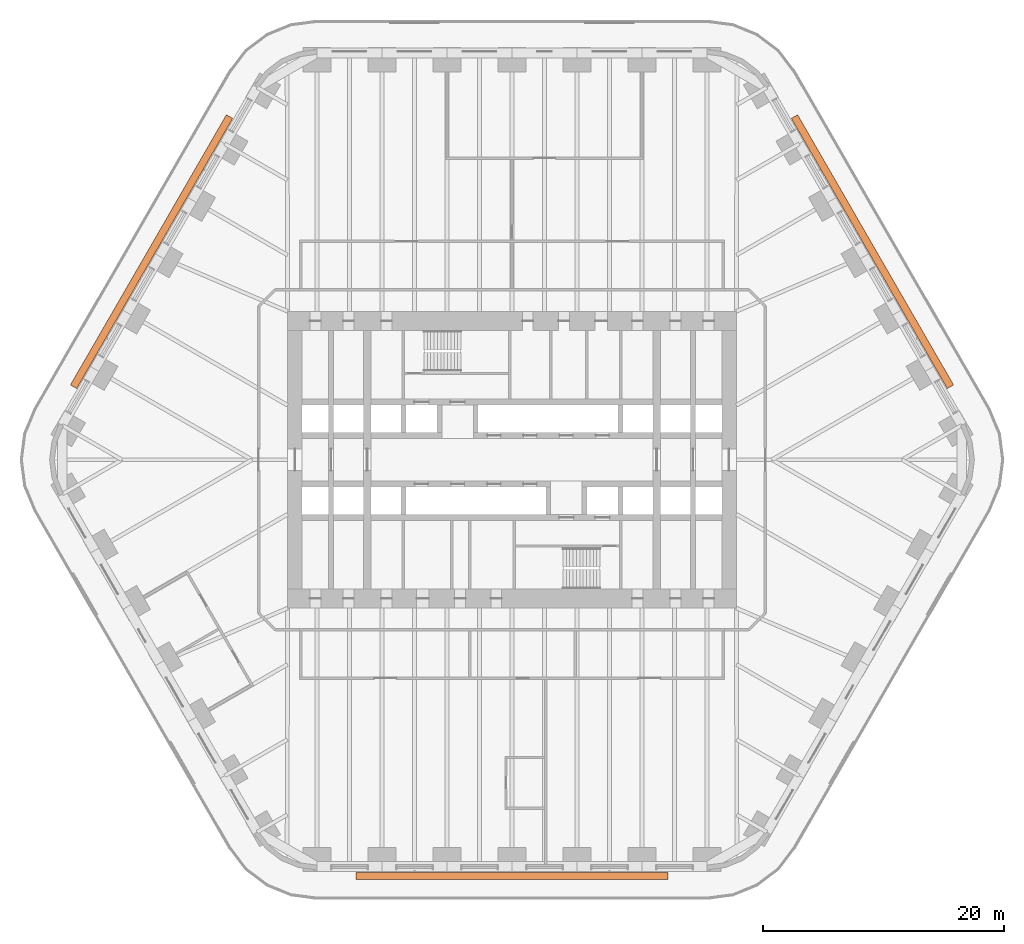
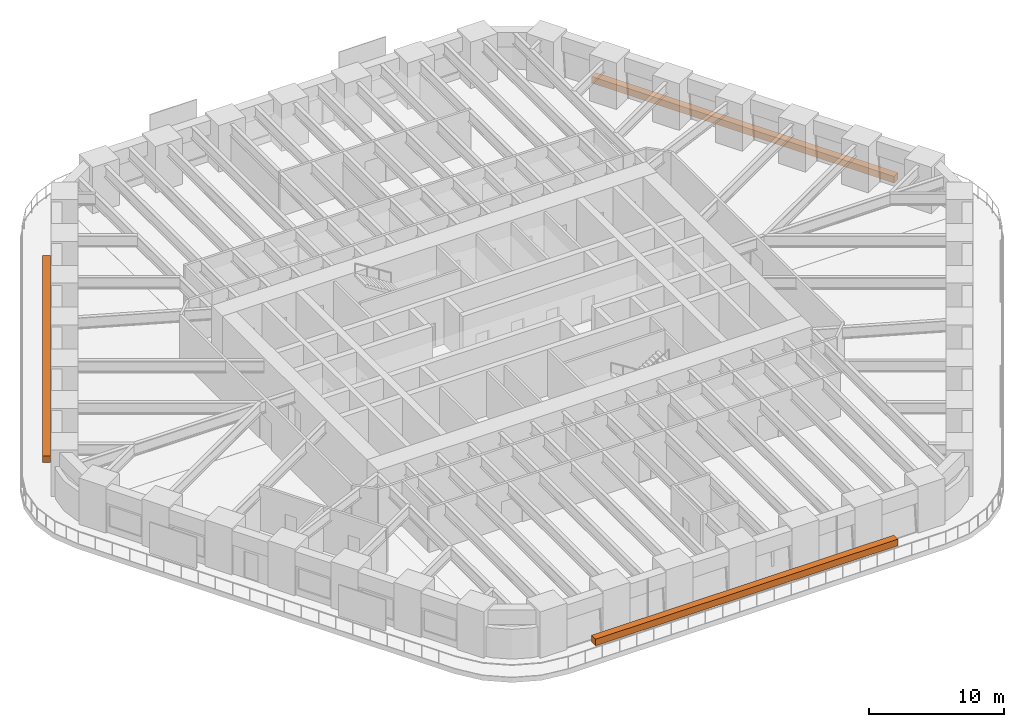
# One storey, part 23 of 23: 3 proxies.
"""IFC4 building model written with IfcOpenShell, lengths in metres."""

import ifcopenshell
import ifcopenshell.guid

model = None  # the IFC model being written
_history = None  # IfcOwnerHistory: only IFC2X3 demands one
_inside = {}  # id of a spatial element -> (the spatial element, [elements in it])
_under = {}  # id of a project, library or spatial element -> (it, [spatial elements below it])
_declared = {}  # id of a project -> (the project, [libraries it declares])
_typed = {}  # id of a type object -> (the type object, [elements of that type])
_made_of = {}  # id of a material, layer set ... -> (it, [elements and type objects made of it])


def new_model(schema):
    """Start an empty IFC model of exactly this schema.

    Asked for "IFC4X3", IfcOpenShell would pick the latest addendum, in which some entities
    have other attributes; the version numbers below select the first issue.
    IFC2X3 requires an IfcOwnerHistory on every rooted entity: one is made here for all.
    """
    global model, _history
    if schema == "IFC4X3":
        model = ifcopenshell.file(schema_version=(4, 3, 0, 0))
    else:
        model = ifcopenshell.file(schema=schema)
    _inside.clear()
    _under.clear()
    _declared.clear()
    _typed.clear()
    _made_of.clear()
    _history = None
    if model.schema == "IFC2X3":
        org = make("IfcOrganization", Name="unknown")
        user = make(
            "IfcPersonAndOrganization",
            ThePerson=make("IfcPerson", FamilyName="unknown"),
            TheOrganization=org,
        )
        app = make(
            "IfcApplication",
            ApplicationDeveloper=org,
            Version="unknown",
            ApplicationFullName="unknown",
            ApplicationIdentifier="unknown",
        )
        _history = make(
            "IfcOwnerHistory",
            OwningUser=user,
            OwningApplication=app,
            ChangeAction="ADDED",
            CreationDate=0,
        )
    return model


def make(cls, **values):
    """One entity of the class cls with the attributes given. An attribute that is None is left unset."""
    return model.create_entity(
        cls, **{name: value for name, value in values.items() if value is not None}
    )


def rooted(cls, **values):
    """An entity with a GlobalId (a new one), such as an element, a storey or a relation."""
    return make(cls, GlobalId=ifcopenshell.guid.new(), OwnerHistory=_history, **values)


def si_unit(unit_type, name, prefix=None):
    """IfcSIUnit, for example si_unit("LENGTHUNIT", "METRE", prefix="MILLI")."""
    return make("IfcSIUnit", UnitType=unit_type, Prefix=prefix, Name=name)


def assignment(units):
    """IfcUnitAssignment: the units of a project."""
    return None if units is None else make("IfcUnitAssignment", Units=units)


def point(xyz):
    """IfcCartesianPoint."""
    return None if xyz is None else make("IfcCartesianPoint", Coordinates=xyz)


def direction(xyz):
    """IfcDirection."""
    return None if xyz is None else make("IfcDirection", DirectionRatios=xyz)


def frame(location, z_axis=None, x_axis=None):
    """IfcAxis2Placement3D, a coordinate frame: its origin and axes. An axis left out is left unset."""
    return make(
        "IfcAxis2Placement3D",
        Location=point(location),
        Axis=direction(z_axis),
        RefDirection=direction(x_axis),
    )


def frame_2d(location, x_axis=None):
    """IfcAxis2Placement2D, a coordinate frame in the plane: its origin and x axis."""
    return make(
        "IfcAxis2Placement2D", Location=point(location), RefDirection=direction(x_axis)
    )


def origin():
    """The frame at (0, 0, 0) with its axes left unset."""
    return frame((0.0, 0.0, 0.0))


def origin_2d():
    """The frame at (0, 0) in the plane with its x axis left unset."""
    return frame_2d((0.0, 0.0))


def place(relative_to, where):
    """IfcLocalPlacement: puts the frame where relative to a parent placement (None: the world)."""
    return make(
        "IfcLocalPlacement", PlacementRelTo=relative_to, RelativePlacement=where
    )


def context(
    kind, dimensions, precision=None, world=None, true_north=None, identifier=None
):
    """IfcGeometricRepresentationContext, for example the 3D "Model" context."""
    return make(
        "IfcGeometricRepresentationContext",
        ContextIdentifier=identifier,
        ContextType=kind,
        CoordinateSpaceDimension=dimensions,
        Precision=precision,
        WorldCoordinateSystem=world,
        TrueNorth=true_north,
    )


def subcontext(parent, identifier, kind, view, scale=None):
    """IfcGeometricRepresentationSubContext, for example "Body" below "Model"."""
    return make(
        "IfcGeometricRepresentationSubContext",
        ContextIdentifier=identifier,
        ContextType=kind,
        ParentContext=parent,
        TargetScale=scale,
        TargetView=view,
    )


def project(units=None, contexts=None):
    """IfcProject with its units and contexts."""
    return rooted(
        "IfcProject",
        Name="project",
        RepresentationContexts=contexts,
        UnitsInContext=assignment(units),
    )


def spatial(cls, under=None, at=None, **own):
    """A site, building, storey or space (cls), placed at a placement, below another one or the project."""
    s = rooted(cls, ObjectPlacement=at, **own)
    if under is not None:
        _under.setdefault(under.id(), (under, []))[1].append(s)
    return s


def profile(cls, at=None, kind="AREA", **sizes):
    """A parametric profile (cls). Its sizes go by their IFC names, for example OverallWidth=200.0."""
    return make(cls, ProfileType=kind, Position=at, **sizes)


def rectangle(**sizes):
    """IfcRectangleProfileDef."""
    return profile("IfcRectangleProfileDef", **sizes)


def extrude(swept, where, along, depth):
    """IfcExtrudedAreaSolid: the profile swept, set in the frame where, extruded along a direction by depth."""
    return make(
        "IfcExtrudedAreaSolid",
        SweptArea=swept,
        Position=where,
        ExtrudedDirection=direction(along),
        Depth=depth,
    )


def shape(context_of_items, identifier, shape_type, items):
    """IfcShapeRepresentation: the items that make up one representation, for example the "Body"."""
    return make(
        "IfcShapeRepresentation",
        ContextOfItems=context_of_items,
        RepresentationIdentifier=identifier,
        RepresentationType=shape_type,
        Items=items,
    )


def material(Name=None, Category=None):
    """IfcMaterial."""
    return make("IfcMaterial", Name=Name, Category=Category)


def made_of(thing, what):
    """Note that an element or type object is made of a material, layer set ...; save() writes the relation."""
    if what is not None:
        _made_of.setdefault(what.id(), (what, []))[1].append(thing)
    return thing


def element(
    cls,
    number,
    at=None,
    inside=None,
    cuts=None,
    type_object=None,
    material=None,
    context=None,
    identifier="Body",
    shape_type=None,
    held_by="IfcProductDefinitionShape",
    body=None,
    shapes=None,
    **own,
):
    """One element of the class cls, such as IfcWall. Its Tag is "e" and its number.

    at: its placement. inside: the storey or other place that contains it. cuts: it is an
    opening in that element (IfcRelVoidsElement). A single representation is given by context,
    identifier, shape_type and body (its items); several are given by shapes. held_by: the class
    of the entity that holds the representations. save() writes the other relations.
    """
    e = rooted(cls, Tag="e%d" % number, ObjectPlacement=at, **own)
    if body is not None:
        shapes = [shape(context, identifier, shape_type, body)]
    if shapes is not None:
        e.Representation = make(held_by, Representations=shapes)
    if inside is not None:
        _inside.setdefault(inside.id(), (inside, []))[1].append(e)
    if cuts is not None:
        rooted(
            "IfcRelVoidsElement", RelatingBuildingElement=cuts, RelatedOpeningElement=e
        )
    if type_object is not None:
        _typed.setdefault(type_object.id(), (type_object, []))[1].append(e)
    return made_of(e, material)


def aggregate(whole, parts):
    """IfcRelAggregates: a whole, such as a stair, and the parts it consists of."""
    return rooted("IfcRelAggregates", RelatingObject=whole, RelatedObjects=parts)


def save(model, path):
    """Write the relations noted so far, then the file.

    IfcRelAggregates (storeys below a building ...), IfcRelContainedInSpatialStructure (elements
    in a storey), IfcRelDefinesByType, IfcRelAssociatesMaterial and IfcRelDeclares: one each for
    every whole, place, type object, material and project.
    """
    for whole, parts in _under.values():
        aggregate(whole, parts)
    for where, things in _inside.values():
        rooted(
            "IfcRelContainedInSpatialStructure",
            RelatedElements=things,
            RelatingStructure=where,
        )
    for kind, things in _typed.values():
        rooted("IfcRelDefinesByType", RelatedObjects=things, RelatingType=kind)
    for what, things in _made_of.values():
        rooted("IfcRelAssociatesMaterial", RelatedObjects=things, RelatingMaterial=what)
    for by, libraries in _declared.values():
        rooted("IfcRelDeclares", RelatingContext=by, RelatedDefinitions=libraries)
    model.write(path)


model = new_model("IFC4")

# Units and contexts
model_context = context("Model", 3, precision=1e-05, world=origin(), true_north=direction((0.0, 1.0)))
body_context = subcontext(model_context, "Body", "Model", "MODEL_VIEW")
ifc_project = project(units=[si_unit("LENGTHUNIT", "METRE"), si_unit("AREAUNIT", "SQUARE_METRE"), si_unit("VOLUMEUNIT", "CUBIC_METRE"), si_unit("PLANEANGLEUNIT", "RADIAN"), si_unit("MASSUNIT", "GRAM", prefix="KILO")], contexts=[model_context])

# Site, building, storey
site_placement = place(None, origin())
site = spatial("IfcSite", under=ifc_project, at=site_placement, CompositionType="ELEMENT")
building_placement = place(site_placement, origin())
building = spatial("IfcBuilding", under=site, at=building_placement, Name="Tarfa Lantern Tower", CompositionType="ELEMENT")
storey_placement = place(building_placement, frame((0.0, 0.0, 36.10009765625)))
storey = spatial("IfcBuildingStorey", under=building, at=storey_placement, Name="L07", CompositionType="ELEMENT", Elevation=36.10009765625)

# Proxies
ifc_material = material(Name="Planting bed")
for number, where, z_axis, x_axis, name in (
    (1, (29.8779296875, 17.25, -0.000244140625), (0.0, 0.0, 1.0), (-0.5, 0.866025403784, 0.0), "Balcony planter"),
    (2, (-29.8779296875, 17.25, -0.000244140625), (0.0, 0.0, 1.0), (-0.5, -0.866025403784, 0.0), "Balcony planter"),
    (3, (0.0, -34.5, -0.000244140625), (0.0, 0.0, 1.0), (1.0, 0.0, 0.0), "Balcony planter"),
):
    element("IfcBuildingElementProxy", number, at=place(storey_placement, frame(where, z_axis=z_axis, x_axis=x_axis)), inside=storey, material=ifc_material, Name=name, ObjectType="PLANTER", PredefinedType="USERDEFINED", context=body_context, shape_type="SweptSolid", body=[
        extrude(rectangle(XDim=25.865234375, YDim=0.60009765625, at=origin_2d()), origin(), (0.0, 0.0, 1.0), 0.60009765625),
    ])

save(model, "model.ifc")
